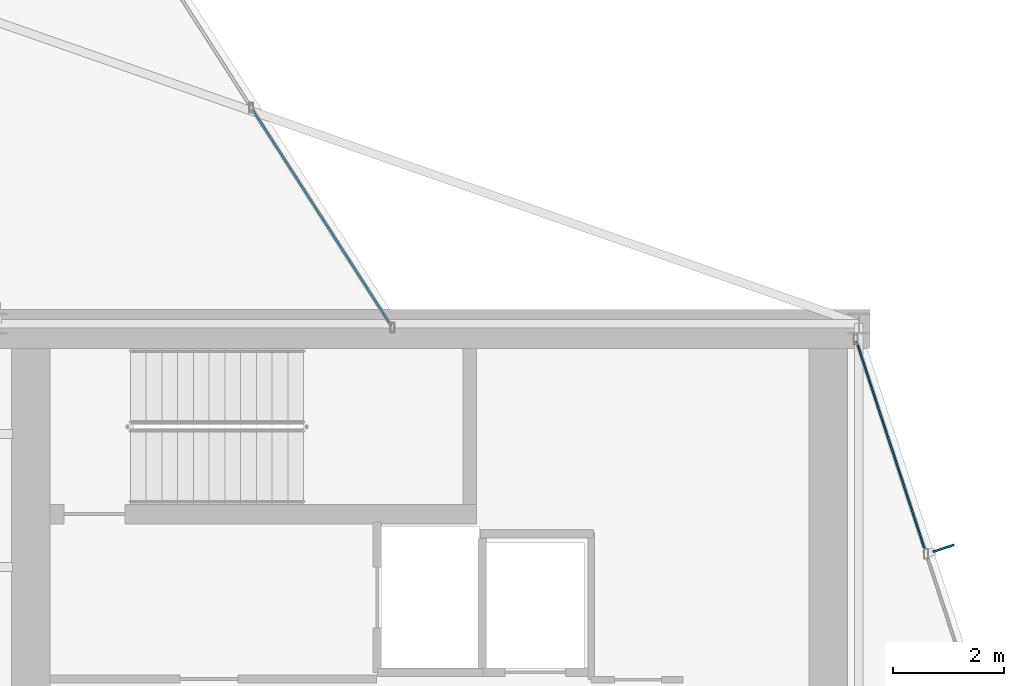
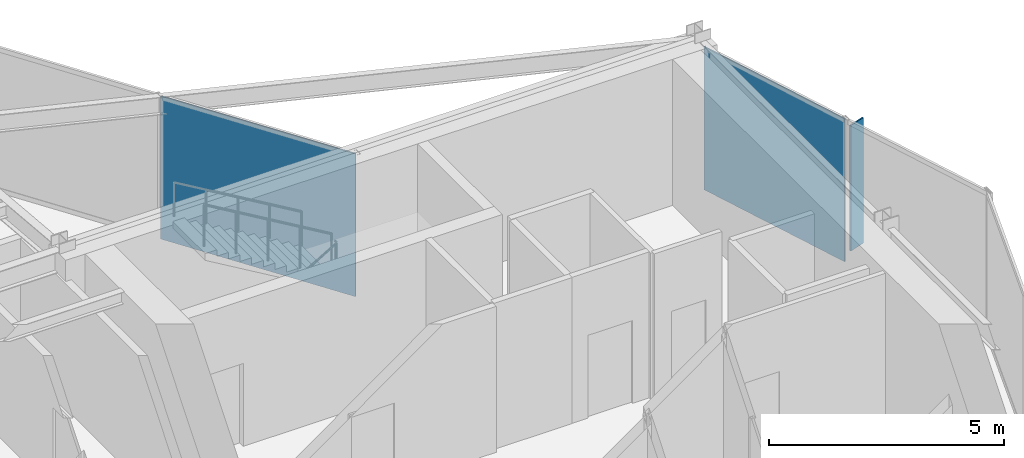
# One storey, part 20 of 23: 3 plates, 2 elements without a shape of their own.
"""IFC4 building model written with IfcOpenShell, lengths in metres."""

from ifc_helpers import new_model, si_unit, direction, frame, origin, origin_2d, place, context, subcontext, project, spatial, rectangle, extrude, material, layer, layer_set, type_object, element, aggregate, save


model = new_model("IFC4")

# Units and contexts
model_context = context("Model", 3, precision=1e-05, world=origin(), true_north=direction((0.0, 1.0)))
body_context = subcontext(model_context, "Body", "Model", "MODEL_VIEW")
ifc_project = project(units=[si_unit("LENGTHUNIT", "METRE"), si_unit("AREAUNIT", "SQUARE_METRE"), si_unit("VOLUMEUNIT", "CUBIC_METRE"), si_unit("PLANEANGLEUNIT", "RADIAN"), si_unit("MASSUNIT", "GRAM", prefix="KILO")], contexts=[model_context])

# Site, building, storey
site_placement = place(None, origin())
site = spatial("IfcSite", under=ifc_project, at=site_placement, CompositionType="ELEMENT")
building_placement = place(site_placement, origin())
building = spatial("IfcBuilding", under=site, at=building_placement, Name="Veymaron Broadcast Tower", CompositionType="ELEMENT")
storey_placement = place(building_placement, frame((0.0, 0.0, 199.949951171875)))
storey = spatial("IfcBuildingStorey", under=building, at=storey_placement, Name="L46", CompositionType="ELEMENT", Elevation=199.949951171875)

# Curtain wall, plate
ifc_material_1 = material(Name="Anodised aluminium AA 6063-T6 and laminated low-E dark glass", Category="aluminium")
ifc_layer_1 = layer(ifc_material_1, 0.179931640625)
ifc_layer_set_1 = layer_set([ifc_layer_1], Name="Anodised aluminium AA 6063-T6 and laminated low-E dark glass")
curtain_wall_type = type_object("IfcCurtainWallType", Name="CW-SYS-05", PredefinedType="NOTDEFINED", material=ifc_layer_set_1)
curtain_wall_1_placement = place(storey_placement, origin())
curtain_wall_1 = element("IfcCurtainWall", 1, at=curtain_wall_1_placement, inside=storey, type_object=curtain_wall_type, Name="L46 dark-glass curtain wall CW-L46-E3-1", PredefinedType="NOTDEFINED")
ifc_material_2 = material(Name="Double-silver solar-control dark glass IGU 32 mm", Category="glass")
ifc_layer_2 = layer(ifc_material_2, 0.031982421875)
ifc_layer_set_2 = layer_set([ifc_layer_2], Name="Double-silver solar-control dark glass IGU 32 mm")
plate_type_1 = type_object("IfcPlateType", Name="CW-PNL-02", PredefinedType="CURTAIN_PANEL", material=ifc_layer_set_2)
plate_1_placement = place(storey_placement, frame((55.18359375, 29.772705078125, 0.0400390625), z_axis=(0.0, 0.0, 1.0), x_axis=(-0.311771138789, 0.950157227525, 0.0)))
plate_1 = element("IfcPlate", 2, at=plate_1_placement, type_object=plate_type_1, Name="CW-L46-E3-1 unitised curtain panel 1", PredefinedType="CURTAIN_PANEL", context=body_context, shape_type="SweptSolid", body=[
    extrude(rectangle(XDim=4.02099609375, YDim=0.031982421875, at=origin_2d()), origin(), (0.0, 0.0, 1.0), 3.7099609375),
])
aggregate(curtain_wall_1, [plate_1])

curtain_wall_2_placement = place(storey_placement, origin())
curtain_wall_2 = element("IfcCurtainWall", 3, at=curtain_wall_2_placement, inside=storey, type_object=curtain_wall_type, Name="L46 dark-glass curtain wall CW-L46-E5-1", PredefinedType="NOTDEFINED")
plate_2_placement = place(storey_placement, frame((44.89404296875, 33.911865234375, 0.0400390625), z_axis=(0.0, 0.0, 1.0), x_axis=(-0.539961235236, 0.841689886147, 0.0)))
plate_2 = element("IfcPlate", 4, at=plate_2_placement, type_object=plate_type_1, Name="CW-L46-E5-1 unitised curtain panel 0", PredefinedType="CURTAIN_PANEL", context=body_context, shape_type="SweptSolid", body=[
    extrude(rectangle(XDim=4.66259765625, YDim=0.031982421875, at=origin_2d()), origin(), (0.0, 0.0, 1.0), 3.7099609375),
])
aggregate(curtain_wall_2, [plate_2])

# Plate
ifc_material_3 = material(Name="Dark-anodised aluminium AA 6061-T6", Category="aluminium")
ifc_layer_3 = layer(ifc_material_3, 0.031982421875)
ifc_layer_set_3 = layer_set([ifc_layer_3], Name="Dark-anodised aluminium AA 6061-T6")
plate_type_2 = type_object("IfcPlateType", Name="FIN-CHEV-03", PredefinedType="USERDEFINED", material=ifc_layer_set_3)
plate_3_placement = place(storey_placement, frame((56.13330078125, 27.93701171875, 0.26513671875), z_axis=(0.0, 0.0, 1.0), x_axis=(0.950157227525, 0.311771138789, 0.0)))
element("IfcPlate", 5, at=plate_3_placement, inside=storey, type_object=plate_type_2, Name="CW-L46-E3-1 chevron fin 1", ObjectType="FIN", PredefinedType="USERDEFINED", context=body_context, shape_type="SweptSolid", body=[
    extrude(rectangle(XDim=0.39990234375, YDim=0.034912109375, at=origin_2d()), origin(), (0.0, 0.0, 1.0), 3.259521484375),
])

save(model, "model.ifc")
